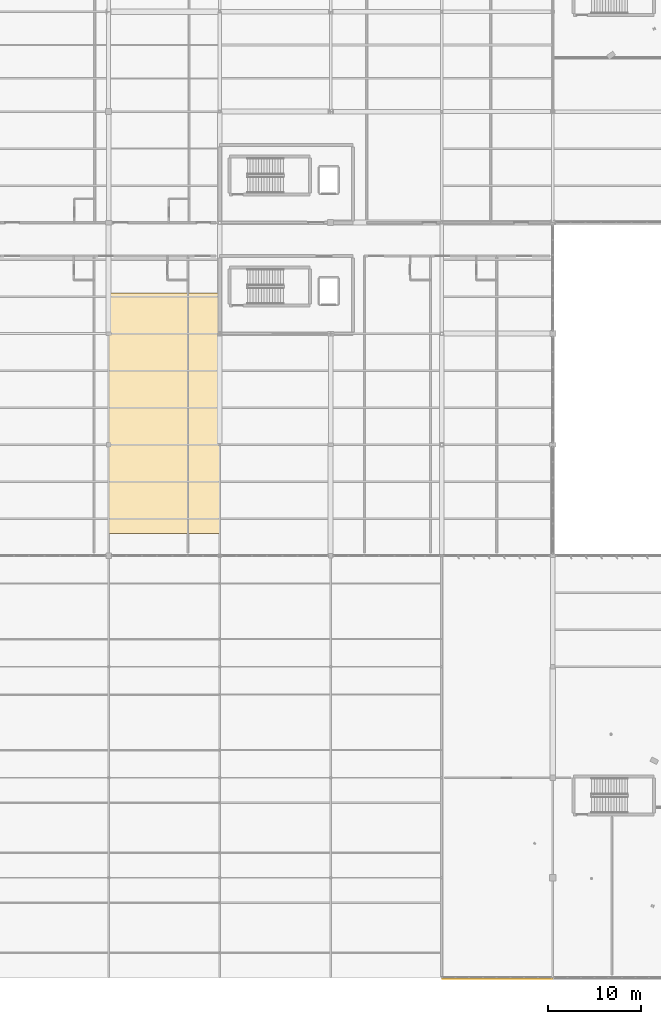
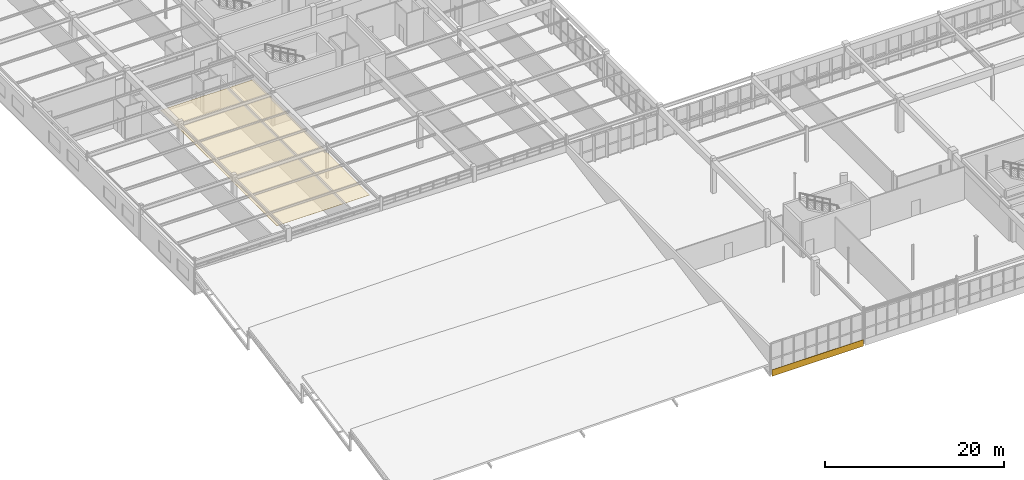
# One storey, part 201 of 226: 2 coverings.
"""IFC4 building model written with IfcOpenShell, lengths in metres."""

from ifc_helpers import new_model, si_unit, direction, frame, origin, origin_2d, place, context, subcontext, project, spatial, polyline, rectangle, outline, extrude, material, layer, layer_set, type_object, element, save


model = new_model("IFC4")

# Units and contexts
model_context = context("Model", 3, precision=1e-05, world=origin(), true_north=direction((0.0, 1.0)))
body_context = subcontext(model_context, "Body", "Model", "MODEL_VIEW")
ifc_project = project(units=[si_unit("LENGTHUNIT", "METRE"), si_unit("AREAUNIT", "SQUARE_METRE"), si_unit("VOLUMEUNIT", "CUBIC_METRE"), si_unit("PLANEANGLEUNIT", "RADIAN"), si_unit("MASSUNIT", "GRAM", prefix="KILO")], contexts=[model_context])

# Site, building, storey
site_placement = place(None, origin())
site = spatial("IfcSite", under=ifc_project, at=site_placement, CompositionType="ELEMENT")
building_placement = place(site_placement, origin())
building = spatial("IfcBuilding", under=site, at=building_placement, Name="Tarnwether General Hospital", CompositionType="ELEMENT")
storey_placement = place(building_placement, frame((0.0, 0.0, 4.800048828125)))
storey = spatial("IfcBuildingStorey", under=building, at=storey_placement, Name="L01", CompositionType="ELEMENT", Elevation=4.800048828125)

# Coverings
ifc_material_1 = material(Name="Folded zinc-titanium cladding")
ifc_layer_1 = layer(ifc_material_1, 0.0400390625)
ifc_layer_set_1 = layer_set([ifc_layer_1], Name="Folded zinc-titanium cladding")
covering_type_1 = type_object("IfcCoveringType", Name="CV-CLD-ZNC", PredefinedType="CLADDING", material=ifc_layer_set_1)
covering_1_placement = place(storey_placement, frame((54.0, -0.090087890625, -0.52001953125), z_axis=(0.0, 0.0, 1.0), x_axis=(1.0, 0.0, 0.0)))
element("IfcCovering", 1, at=covering_1_placement, inside=storey, type_object=covering_type_1, Name="Diagnostic Base Faceted Zinc Spandrel 063", PredefinedType="CLADDING", context=body_context, shape_type="SweptSolid", body=[
    extrude(rectangle(XDim=11.800048828125, YDim=0.0400390625, at=origin_2d()), origin(), (0.0, 0.0, 1.0), 0.8798828125),
])
ifc_material_2 = material(Name="Acoustic mineral fibre tile")
ifc_layer_2 = layer(ifc_material_2, 0.02490234375)
ifc_layer_set_2 = layer_set([ifc_layer_2], Name="Acoustic mineral fibre tile")
covering_type_2 = type_object("IfcCoveringType", Name="CV-CLG-ACT", PredefinedType="CEILING", material=ifc_layer_set_2)
covering_2_placement = place(storey_placement, frame((0.0, 0.0, 3.46484375)))
element("IfcCovering", 2, at=covering_2_placement, inside=storey, type_object=covering_type_2, Name="Acoustic Clinical Ceiling 03", PredefinedType="CEILING", context=body_context, shape_type="SweptSolid", body=[
    extrude(outline(polyline([(12.0, 48.0), (24.0, 48.0), (24.0, 74.0), (12.0, 74.0), (12.0, 48.0)])), origin(), (0.0, 0.0, 1.0), 0.025146484375),
])

save(model, "model.ifc")
